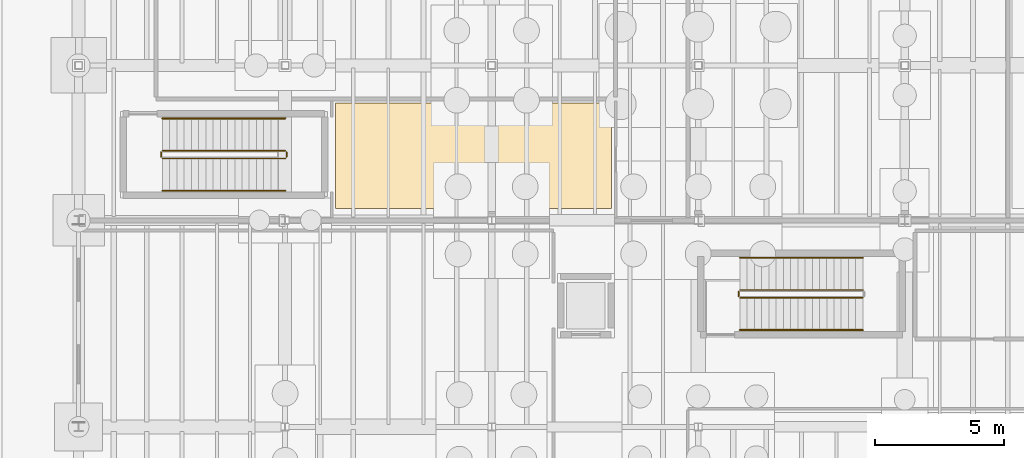
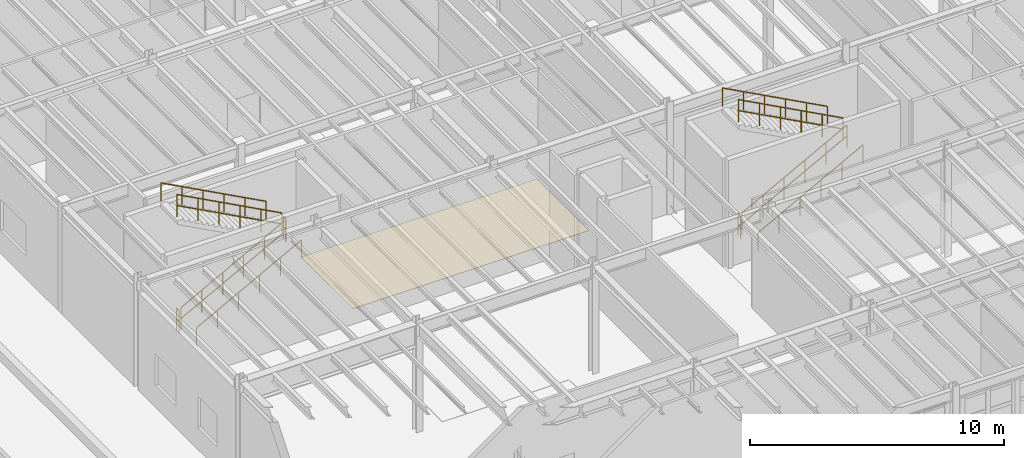
# One storey, part 76 of 86: 11 railings, 1 covering.
"""IFC4 building model written with IfcOpenShell, lengths in metres."""

import ifcopenshell
import ifcopenshell.guid

model = None  # the IFC model being written
_history = None  # IfcOwnerHistory: only IFC2X3 demands one
_inside = {}  # id of a spatial element -> (the spatial element, [elements in it])
_under = {}  # id of a project, library or spatial element -> (it, [spatial elements below it])
_declared = {}  # id of a project -> (the project, [libraries it declares])
_typed = {}  # id of a type object -> (the type object, [elements of that type])
_made_of = {}  # id of a material, layer set ... -> (it, [elements and type objects made of it])


def new_model(schema):
    """Start an empty IFC model of exactly this schema.

    Asked for "IFC4X3", IfcOpenShell would pick the latest addendum, in which some entities
    have other attributes; the version numbers below select the first issue.
    IFC2X3 requires an IfcOwnerHistory on every rooted entity: one is made here for all.
    """
    global model, _history
    if schema == "IFC4X3":
        model = ifcopenshell.file(schema_version=(4, 3, 0, 0))
    else:
        model = ifcopenshell.file(schema=schema)
    _inside.clear()
    _under.clear()
    _declared.clear()
    _typed.clear()
    _made_of.clear()
    _history = None
    if model.schema == "IFC2X3":
        org = make("IfcOrganization", Name="unknown")
        user = make(
            "IfcPersonAndOrganization",
            ThePerson=make("IfcPerson", FamilyName="unknown"),
            TheOrganization=org,
        )
        app = make(
            "IfcApplication",
            ApplicationDeveloper=org,
            Version="unknown",
            ApplicationFullName="unknown",
            ApplicationIdentifier="unknown",
        )
        _history = make(
            "IfcOwnerHistory",
            OwningUser=user,
            OwningApplication=app,
            ChangeAction="ADDED",
            CreationDate=0,
        )
    return model


def make(cls, **values):
    """One entity of the class cls with the attributes given. An attribute that is None is left unset."""
    return model.create_entity(
        cls, **{name: value for name, value in values.items() if value is not None}
    )


def rooted(cls, **values):
    """An entity with a GlobalId (a new one), such as an element, a storey or a relation."""
    return make(cls, GlobalId=ifcopenshell.guid.new(), OwnerHistory=_history, **values)


def si_unit(unit_type, name, prefix=None):
    """IfcSIUnit, for example si_unit("LENGTHUNIT", "METRE", prefix="MILLI")."""
    return make("IfcSIUnit", UnitType=unit_type, Prefix=prefix, Name=name)


def assignment(units):
    """IfcUnitAssignment: the units of a project."""
    return None if units is None else make("IfcUnitAssignment", Units=units)


def point(xyz):
    """IfcCartesianPoint."""
    return None if xyz is None else make("IfcCartesianPoint", Coordinates=xyz)


def direction(xyz):
    """IfcDirection."""
    return None if xyz is None else make("IfcDirection", DirectionRatios=xyz)


def frame(location, z_axis=None, x_axis=None):
    """IfcAxis2Placement3D, a coordinate frame: its origin and axes. An axis left out is left unset."""
    return make(
        "IfcAxis2Placement3D",
        Location=point(location),
        Axis=direction(z_axis),
        RefDirection=direction(x_axis),
    )


def frame_2d(location, x_axis=None):
    """IfcAxis2Placement2D, a coordinate frame in the plane: its origin and x axis."""
    return make(
        "IfcAxis2Placement2D", Location=point(location), RefDirection=direction(x_axis)
    )


def origin():
    """The frame at (0, 0, 0) with its axes left unset."""
    return frame((0.0, 0.0, 0.0))


def origin_2d():
    """The frame at (0, 0) in the plane with its x axis left unset."""
    return frame_2d((0.0, 0.0))


def place(relative_to, where):
    """IfcLocalPlacement: puts the frame where relative to a parent placement (None: the world)."""
    return make(
        "IfcLocalPlacement", PlacementRelTo=relative_to, RelativePlacement=where
    )


def context(
    kind, dimensions, precision=None, world=None, true_north=None, identifier=None
):
    """IfcGeometricRepresentationContext, for example the 3D "Model" context."""
    return make(
        "IfcGeometricRepresentationContext",
        ContextIdentifier=identifier,
        ContextType=kind,
        CoordinateSpaceDimension=dimensions,
        Precision=precision,
        WorldCoordinateSystem=world,
        TrueNorth=true_north,
    )


def subcontext(parent, identifier, kind, view, scale=None):
    """IfcGeometricRepresentationSubContext, for example "Body" below "Model"."""
    return make(
        "IfcGeometricRepresentationSubContext",
        ContextIdentifier=identifier,
        ContextType=kind,
        ParentContext=parent,
        TargetScale=scale,
        TargetView=view,
    )


def project(units=None, contexts=None):
    """IfcProject with its units and contexts."""
    return rooted(
        "IfcProject",
        Name="project",
        RepresentationContexts=contexts,
        UnitsInContext=assignment(units),
    )


def spatial(cls, under=None, at=None, **own):
    """A site, building, storey or space (cls), placed at a placement, below another one or the project."""
    s = rooted(cls, ObjectPlacement=at, **own)
    if under is not None:
        _under.setdefault(under.id(), (under, []))[1].append(s)
    return s


def polyline(points):
    """IfcPolyline through the points."""
    return make("IfcPolyline", Points=[point(p) for p in points])


def profile(cls, at=None, kind="AREA", **sizes):
    """A parametric profile (cls). Its sizes go by their IFC names, for example OverallWidth=200.0."""
    return make(cls, ProfileType=kind, Position=at, **sizes)


def circle(**sizes):
    """IfcCircleProfileDef."""
    return profile("IfcCircleProfileDef", **sizes)


def outline(outer, holes=None, kind="AREA"):
    """IfcArbitraryClosedProfileDef: a profile drawn as a closed curve; with holes, ...WithVoids."""
    if holes is None:
        return make("IfcArbitraryClosedProfileDef", ProfileType=kind, OuterCurve=outer)
    return make(
        "IfcArbitraryProfileDefWithVoids",
        ProfileType=kind,
        OuterCurve=outer,
        InnerCurves=holes,
    )


def extrude(swept, where, along, depth):
    """IfcExtrudedAreaSolid: the profile swept, set in the frame where, extruded along a direction by depth."""
    return make(
        "IfcExtrudedAreaSolid",
        SweptArea=swept,
        Position=where,
        ExtrudedDirection=direction(along),
        Depth=depth,
    )


def shape(context_of_items, identifier, shape_type, items):
    """IfcShapeRepresentation: the items that make up one representation, for example the "Body"."""
    return make(
        "IfcShapeRepresentation",
        ContextOfItems=context_of_items,
        RepresentationIdentifier=identifier,
        RepresentationType=shape_type,
        Items=items,
    )


def material(Name=None, Category=None):
    """IfcMaterial."""
    return make("IfcMaterial", Name=Name, Category=Category)


def layer(
    of_material, thickness, ventilated=None, Name=None, Category=None, Priority=None
):
    """IfcMaterialLayer: one layer of a wall or slab, of a material (None: an air gap)."""
    return make(
        "IfcMaterialLayer",
        Material=of_material,
        LayerThickness=thickness,
        IsVentilated=ventilated,
        Name=Name,
        Category=Category,
        Priority=Priority,
    )


def layer_set(layers, Name=None):
    """IfcMaterialLayerSet."""
    return make("IfcMaterialLayerSet", MaterialLayers=layers, LayerSetName=Name)


def made_of(thing, what):
    """Note that an element or type object is made of a material, layer set ...; save() writes the relation."""
    if what is not None:
        _made_of.setdefault(what.id(), (what, []))[1].append(thing)
    return thing


def type_object(cls, material=None, **own):
    """A type object (cls), such as IfcWallType, which elements share."""
    return made_of(rooted(cls, **own), material)


def element(
    cls,
    number,
    at=None,
    inside=None,
    cuts=None,
    type_object=None,
    material=None,
    context=None,
    identifier="Body",
    shape_type=None,
    held_by="IfcProductDefinitionShape",
    body=None,
    shapes=None,
    **own,
):
    """One element of the class cls, such as IfcWall. Its Tag is "e" and its number.

    at: its placement. inside: the storey or other place that contains it. cuts: it is an
    opening in that element (IfcRelVoidsElement). A single representation is given by context,
    identifier, shape_type and body (its items); several are given by shapes. held_by: the class
    of the entity that holds the representations. save() writes the other relations.
    """
    e = rooted(cls, Tag="e%d" % number, ObjectPlacement=at, **own)
    if body is not None:
        shapes = [shape(context, identifier, shape_type, body)]
    if shapes is not None:
        e.Representation = make(held_by, Representations=shapes)
    if inside is not None:
        _inside.setdefault(inside.id(), (inside, []))[1].append(e)
    if cuts is not None:
        rooted(
            "IfcRelVoidsElement", RelatingBuildingElement=cuts, RelatedOpeningElement=e
        )
    if type_object is not None:
        _typed.setdefault(type_object.id(), (type_object, []))[1].append(e)
    return made_of(e, material)


def aggregate(whole, parts):
    """IfcRelAggregates: a whole, such as a stair, and the parts it consists of."""
    return rooted("IfcRelAggregates", RelatingObject=whole, RelatedObjects=parts)


def save(model, path):
    """Write the relations noted so far, then the file.

    IfcRelAggregates (storeys below a building ...), IfcRelContainedInSpatialStructure (elements
    in a storey), IfcRelDefinesByType, IfcRelAssociatesMaterial and IfcRelDeclares: one each for
    every whole, place, type object, material and project.
    """
    for whole, parts in _under.values():
        aggregate(whole, parts)
    for where, things in _inside.values():
        rooted(
            "IfcRelContainedInSpatialStructure",
            RelatedElements=things,
            RelatingStructure=where,
        )
    for kind, things in _typed.values():
        rooted("IfcRelDefinesByType", RelatedObjects=things, RelatingType=kind)
    for what, things in _made_of.values():
        rooted("IfcRelAssociatesMaterial", RelatedObjects=things, RelatingMaterial=what)
    for by, libraries in _declared.values():
        rooted("IfcRelDeclares", RelatingContext=by, RelatedDefinitions=libraries)
    model.write(path)


model = new_model("IFC4")

# Units and contexts
model_context = context("Model", 3, precision=1e-05, world=origin(), true_north=direction((0.0, 1.0)))
body_context = subcontext(model_context, "Body", "Model", "MODEL_VIEW")
ifc_project = project(units=[si_unit("LENGTHUNIT", "METRE"), si_unit("AREAUNIT", "SQUARE_METRE"), si_unit("VOLUMEUNIT", "CUBIC_METRE"), si_unit("PLANEANGLEUNIT", "RADIAN"), si_unit("MASSUNIT", "GRAM", prefix="KILO"), si_unit("THERMODYNAMICTEMPERATUREUNIT", "KELVIN"), si_unit("POWERUNIT", "WATT")], contexts=[model_context])

# Site, building, storey
site_placement = place(None, origin())
site = spatial("IfcSite", under=ifc_project, at=site_placement, CompositionType="ELEMENT")
building_placement = place(site_placement, origin())
building = spatial("IfcBuilding", under=site, at=building_placement, Name="Zhenchuan Central Fire Station", CompositionType="ELEMENT")
storey_placement = place(building_placement, frame((0.0, 0.0, 0.449951171875)))
storey = spatial("IfcBuildingStorey", under=building, at=storey_placement, Name="L01", CompositionType="ELEMENT", Elevation=0.449951171875)

# Covering
ifc_material_1 = material(Name="Heavy-duty slip-resistant ceramic tile flooring")
ifc_layer = layer(ifc_material_1, 0.014892578125, Name="Heavy-duty slip-resistant ceramic tile flooring")
ifc_layer_set = layer_set([ifc_layer], Name="Heavy-duty slip-resistant ceramic tile flooring")
covering_type = type_object("IfcCoveringType", Name="COV-FLR-RES", PredefinedType="FLOORING", material=ifc_layer_set)
covering_placement = place(storey_placement, origin())
element("IfcCovering", 1, at=covering_placement, inside=storey, type_object=covering_type, Name="Fleet Tool and Lubricant Store Ceramic Tile Flooring", PredefinedType="FLOORING", context=body_context, shape_type="SweptSolid", body=[
    extrude(outline(polyline([(9.949951171875, 22.949951171875), (20.64990234375, 22.949951171875), (20.64990234375, 27.050048828125), (9.949951171875, 27.050048828125), (9.949951171875, 22.949951171875)])), origin(), (0.0, 0.0, 1.0), 0.01513671875),
])

# Railings
ifc_material_2 = material(Name="Galvanised powder-coated steel", Category="steel")
railing_type_1 = type_object("IfcRailingType", Name="RL-ST-GRD", PredefinedType="GUARDRAIL", material=ifc_material_2)
railing_1_placement = place(storey_placement, frame((25.6201171875, 19.5, 0.150146484375)))
element("IfcRailing", 2, at=railing_1_placement, inside=storey, type_object=railing_type_1, Name="L01 ST-02 stair guard 1", PredefinedType="GUARDRAIL", context=body_context, shape_type="SweptSolid", body=[
    extrude(circle(Radius=0.02392578125, at=origin_2d()), frame((0.0, 0.0, 1.076171875), z_axis=(0.881485347215, 0.0, 0.472211374965), x_axis=(0.0, 1.0, 0.0)), (0.0, 0.0, 1.0), 5.399658203125),
    extrude(circle(Radius=0.02392578125, at=origin_2d()), frame((0.0, 0.0, 0.550048828125), z_axis=(0.881485347215, 0.0, 0.472211374965), x_axis=(0.0, 1.0, 0.0)), (0.0, 0.0, 1.0), 5.399658203125),
    extrude(circle(Radius=0.02099609375, at=origin_2d()), origin(), (0.0, 0.0, 1.0), 1.052001953125),
    extrude(circle(Radius=0.02099609375, at=origin_2d()), frame((0.951904296875, 0.0, 0.510009765625)), (0.0, 0.0, 1.0), 1.052001953125),
    extrude(circle(Radius=0.02099609375, at=origin_2d()), frame((1.90380859375, 0.0, 1.02001953125)), (0.0, 0.0, 1.0), 1.052001953125),
    extrude(circle(Radius=0.02099609375, at=origin_2d()), frame((2.85595703125, 0.0, 1.52978515625)), (0.0, 0.0, 1.0), 1.052001953125),
    extrude(circle(Radius=0.02099609375, at=origin_2d()), frame((3.807861328125, 0.0, 2.039794921875)), (0.0, 0.0, 1.0), 1.052001953125),
    extrude(circle(Radius=0.02099609375, at=origin_2d()), frame((4.759765625, 0.0, 2.5498046875)), (0.0, 0.0, 1.0), 1.052001953125),
])
railing_2_placement = place(storey_placement, frame((30.3798828125, 19.800048828125, 2.85009765625)))
element("IfcRailing", 3, at=railing_2_placement, inside=storey, type_object=railing_type_1, Name="L01 ST-02 stair guard 3", PredefinedType="GUARDRAIL", context=body_context, shape_type="SweptSolid", body=[
    extrude(circle(Radius=0.02392578125, at=origin_2d()), frame((0.0, 0.0, 1.076171875), z_axis=(-0.881466526851, 0.0, 0.472246505589), x_axis=(0.0, -1.0, 0.0)), (0.0, 0.0, 1.0), 5.39990234375),
    extrude(circle(Radius=0.02392578125, at=origin_2d()), frame((0.0, 0.0, 0.550048828125), z_axis=(-0.881466526851, 0.0, 0.472246505589), x_axis=(0.0, -1.0, 0.0)), (0.0, 0.0, 1.0), 5.39990234375),
    extrude(circle(Radius=0.02099609375, at=origin_2d()), origin(), (0.0, 0.0, 1.0), 1.052001953125),
    extrude(circle(Radius=0.02099609375, at=origin_2d()), frame((-0.951904296875, 0.0, 0.510009765625)), (0.0, 0.0, 1.0), 1.052001953125),
    extrude(circle(Radius=0.02099609375, at=origin_2d()), frame((-1.90380859375, 0.0, 1.02001953125)), (0.0, 0.0, 1.0), 1.052001953125),
    extrude(circle(Radius=0.02099609375, at=origin_2d()), frame((-2.85595703125, 0.0, 1.530029296875)), (0.0, 0.0, 1.0), 1.052001953125),
    extrude(circle(Radius=0.02099609375, at=origin_2d()), frame((-3.807861328125, 0.0, 2.0400390625)), (0.0, 0.0, 1.0), 1.052001953125),
    extrude(circle(Radius=0.02099609375, at=origin_2d()), frame((-4.759765625, 0.0, 2.550048828125)), (0.0, 0.0, 1.0), 1.052001953125),
])
railing_3_placement = place(storey_placement, frame((25.570068359375, 19.550048828125, 0.0)))
element("IfcRailing", 4, at=railing_3_placement, inside=storey, type_object=railing_type_1, Name="L01 ST-02 stair guard 4", PredefinedType="GUARDRAIL", context=body_context, shape_type="SweptSolid", body=[
    extrude(circle(Radius=0.02392578125, at=origin_2d()), frame((0.0, 0.0, 1.076171875), z_axis=(0.0, 1.0, 0.0), x_axis=(-1.0, 0.0, 0.0)), (0.0, 0.0, 1.0), 0.199951171875),
    extrude(circle(Radius=0.02392578125, at=origin_2d()), frame((0.0, 0.0, 0.550048828125), z_axis=(0.0, 1.0, 0.0), x_axis=(-1.0, 0.0, 0.0)), (0.0, 0.0, 1.0), 0.199951171875),
    extrude(circle(Radius=0.02099609375, at=origin_2d()), origin(), (0.0, 0.0, 1.0), 1.052001953125),
    extrude(circle(Radius=0.02099609375, at=origin_2d()), frame((0.0, 0.199951171875, 0.0)), (0.0, 0.0, 1.0), 1.052001953125),
])
railing_4_placement = place(storey_placement, frame((3.25, 24.89990234375, 0.150146484375)))
element("IfcRailing", 5, at=railing_4_placement, inside=storey, type_object=railing_type_1, Name="L01 ST-03 stair guard 1", PredefinedType="GUARDRAIL", context=body_context, shape_type="SweptSolid", body=[
    extrude(circle(Radius=0.02392578125, at=origin_2d()), frame((0.0, 0.0, 1.076171875), z_axis=(0.881495428514, 0.0, 0.472192555542), x_axis=(0.0, 1.0, 0.0)), (0.0, 0.0, 1.0), 5.39990234375),
    extrude(circle(Radius=0.02392578125, at=origin_2d()), frame((0.0, 0.0, 0.550048828125), z_axis=(0.881495428514, 0.0, 0.472192555542), x_axis=(0.0, 1.0, 0.0)), (0.0, 0.0, 1.0), 5.39990234375),
    extrude(circle(Radius=0.02099609375, at=origin_2d()), origin(), (0.0, 0.0, 1.0), 1.052001953125),
    extrude(circle(Radius=0.02099609375, at=origin_2d()), frame((0.951904296875, 0.0, 0.510009765625)), (0.0, 0.0, 1.0), 1.052001953125),
    extrude(circle(Radius=0.02099609375, at=origin_2d()), frame((1.904052734375, 0.0, 1.02001953125)), (0.0, 0.0, 1.0), 1.052001953125),
    extrude(circle(Radius=0.02099609375, at=origin_2d()), frame((2.85595703125, 0.0, 1.52978515625)), (0.0, 0.0, 1.0), 1.052001953125),
    extrude(circle(Radius=0.02099609375, at=origin_2d()), frame((3.80810546875, 0.0, 2.039794921875)), (0.0, 0.0, 1.0), 1.052001953125),
    extrude(circle(Radius=0.02099609375, at=origin_2d()), frame((4.760009765625, 0.0, 2.5498046875)), (0.0, 0.0, 1.0), 1.052001953125),
])
railing_5_placement = place(storey_placement, frame((8.06005859375, 24.949951171875, 2.699951171875)))
element("IfcRailing", 6, at=railing_5_placement, inside=storey, type_object=railing_type_1, Name="L01 ST-03 stair guard 2", PredefinedType="GUARDRAIL", context=body_context, shape_type="SweptSolid", body=[
    extrude(circle(Radius=0.02392578125, at=origin_2d()), frame((0.0, 0.0, 1.076171875), z_axis=(0.0, 1.0, 0.0), x_axis=(-1.0, 0.0, 0.0)), (0.0, 0.0, 1.0), 0.199951171875),
    extrude(circle(Radius=0.02392578125, at=origin_2d()), frame((0.0, 0.0, 0.550048828125), z_axis=(0.0, 1.0, 0.0), x_axis=(-1.0, 0.0, 0.0)), (0.0, 0.0, 1.0), 0.199951171875),
    extrude(circle(Radius=0.02099609375, at=origin_2d()), origin(), (0.0, 0.0, 1.0), 1.052001953125),
    extrude(circle(Radius=0.02099609375, at=origin_2d()), frame((0.0, 0.199951171875, 0.0)), (0.0, 0.0, 1.0), 1.052001953125),
])
railing_6_placement = place(storey_placement, frame((8.010009765625, 25.199951171875, 2.85009765625)))
element("IfcRailing", 7, at=railing_6_placement, inside=storey, type_object=railing_type_1, Name="L01 ST-03 stair guard 3", PredefinedType="GUARDRAIL", context=body_context, shape_type="SweptSolid", body=[
    extrude(circle(Radius=0.02392578125, at=origin_2d()), frame((0.0, 0.0, 1.076171875), z_axis=(-0.881476609435, 0.0, 0.47222768557), x_axis=(0.0, -1.0, 0.0)), (0.0, 0.0, 1.0), 5.400146484375),
    extrude(circle(Radius=0.02392578125, at=origin_2d()), frame((0.0, 0.0, 0.550048828125), z_axis=(-0.881476609435, 0.0, 0.47222768557), x_axis=(0.0, -1.0, 0.0)), (0.0, 0.0, 1.0), 5.400146484375),
    extrude(circle(Radius=0.02099609375, at=origin_2d()), origin(), (0.0, 0.0, 1.0), 1.052001953125),
    extrude(circle(Radius=0.02099609375, at=origin_2d()), frame((-0.951904296875, 0.0, 0.510009765625)), (0.0, 0.0, 1.0), 1.052001953125),
    extrude(circle(Radius=0.02099609375, at=origin_2d()), frame((-1.904052734375, 0.0, 1.02001953125)), (0.0, 0.0, 1.0), 1.052001953125),
    extrude(circle(Radius=0.02099609375, at=origin_2d()), frame((-2.85595703125, 0.0, 1.530029296875)), (0.0, 0.0, 1.0), 1.052001953125),
    extrude(circle(Radius=0.02099609375, at=origin_2d()), frame((-3.80810546875, 0.0, 2.0400390625)), (0.0, 0.0, 1.0), 1.052001953125),
    extrude(circle(Radius=0.02099609375, at=origin_2d()), frame((-4.760009765625, 0.0, 2.550048828125)), (0.0, 0.0, 1.0), 1.052001953125),
])
railing_7_placement = place(storey_placement, frame((3.199951171875, 24.949951171875, 0.0)))
element("IfcRailing", 8, at=railing_7_placement, inside=storey, type_object=railing_type_1, Name="L01 ST-03 stair guard 4", PredefinedType="GUARDRAIL", context=body_context, shape_type="SweptSolid", body=[
    extrude(circle(Radius=0.02392578125, at=origin_2d()), frame((0.0, 0.0, 1.076171875), z_axis=(0.0, 1.0, 0.0), x_axis=(-1.0, 0.0, 0.0)), (0.0, 0.0, 1.0), 0.199951171875),
    extrude(circle(Radius=0.02392578125, at=origin_2d()), frame((0.0, 0.0, 0.550048828125), z_axis=(0.0, 1.0, 0.0), x_axis=(-1.0, 0.0, 0.0)), (0.0, 0.0, 1.0), 0.199951171875),
    extrude(circle(Radius=0.02099609375, at=origin_2d()), origin(), (0.0, 0.0, 1.0), 1.052001953125),
    extrude(circle(Radius=0.02099609375, at=origin_2d()), frame((0.0, 0.199951171875, 0.0)), (0.0, 0.0, 1.0), 1.052001953125),
])
ifc_material_3 = material(Name="Brushed stainless steel handrail", Category="steel")
railing_type_2 = type_object("IfcRailingType", Name="RL-ST-HND", PredefinedType="HANDRAIL", material=ifc_material_3)
railing_8_placement = place(storey_placement, frame((25.6201171875, 18.25, 0.150146484375)))
element("IfcRailing", 9, at=railing_8_placement, inside=storey, type_object=railing_type_2, Name="L01 ST-02 stair handrail 1", PredefinedType="HANDRAIL", context=body_context, shape_type="SweptSolid", body=[
    extrude(circle(Radius=0.02392578125, at=origin_2d()), frame((0.0, 0.0, 0.8759765625), z_axis=(0.881485347215, 0.0, 0.472211374965), x_axis=(0.0, 1.0, 0.0)), (0.0, 0.0, 1.0), 5.399658203125),
    extrude(circle(Radius=0.02099609375, at=origin_2d()), origin(), (0.0, 0.0, 1.0), 0.851806640625),
    extrude(circle(Radius=0.02099609375, at=origin_2d()), frame((0.951904296875, 0.0, 0.510009765625)), (0.0, 0.0, 1.0), 0.851806640625),
    extrude(circle(Radius=0.02099609375, at=origin_2d()), frame((1.90380859375, 0.0, 1.02001953125)), (0.0, 0.0, 1.0), 0.851806640625),
    extrude(circle(Radius=0.02099609375, at=origin_2d()), frame((2.85595703125, 0.0, 1.52978515625)), (0.0, 0.0, 1.0), 0.851806640625),
    extrude(circle(Radius=0.02099609375, at=origin_2d()), frame((3.807861328125, 0.0, 2.039794921875)), (0.0, 0.0, 1.0), 0.851806640625),
    extrude(circle(Radius=0.02099609375, at=origin_2d()), frame((4.759765625, 0.0, 2.5498046875)), (0.0, 0.0, 1.0), 0.851806640625),
])
railing_9_placement = place(storey_placement, frame((30.3798828125, 21.050048828125, 2.85009765625)))
element("IfcRailing", 10, at=railing_9_placement, inside=storey, type_object=railing_type_2, Name="L01 ST-02 stair handrail 2", PredefinedType="HANDRAIL", context=body_context, shape_type="SweptSolid", body=[
    extrude(circle(Radius=0.02392578125, at=origin_2d()), frame((0.0, 0.0, 0.8759765625), z_axis=(-0.881466526851, 0.0, 0.472246505589), x_axis=(0.0, -1.0, 0.0)), (0.0, 0.0, 1.0), 5.39990234375),
    extrude(circle(Radius=0.02099609375, at=origin_2d()), origin(), (0.0, 0.0, 1.0), 0.851806640625),
    extrude(circle(Radius=0.02099609375, at=origin_2d()), frame((-0.951904296875, 0.0, 0.510009765625)), (0.0, 0.0, 1.0), 0.851806640625),
    extrude(circle(Radius=0.02099609375, at=origin_2d()), frame((-1.90380859375, 0.0, 1.02001953125)), (0.0, 0.0, 1.0), 0.851806640625),
    extrude(circle(Radius=0.02099609375, at=origin_2d()), frame((-2.85595703125, 0.0, 1.530029296875)), (0.0, 0.0, 1.0), 0.851806640625),
    extrude(circle(Radius=0.02099609375, at=origin_2d()), frame((-3.807861328125, 0.0, 2.0400390625)), (0.0, 0.0, 1.0), 0.851806640625),
    extrude(circle(Radius=0.02099609375, at=origin_2d()), frame((-4.759765625, 0.0, 2.550048828125)), (0.0, 0.0, 1.0), 0.851806640625),
])
railing_10_placement = place(storey_placement, frame((3.25, 23.64990234375, 0.150146484375)))
element("IfcRailing", 11, at=railing_10_placement, inside=storey, type_object=railing_type_2, Name="L01 ST-03 stair handrail 1", PredefinedType="HANDRAIL", context=body_context, shape_type="SweptSolid", body=[
    extrude(circle(Radius=0.02392578125, at=origin_2d()), frame((0.0, 0.0, 0.8759765625), z_axis=(0.881495428514, 0.0, 0.472192555542), x_axis=(0.0, 1.0, 0.0)), (0.0, 0.0, 1.0), 5.39990234375),
    extrude(circle(Radius=0.02099609375, at=origin_2d()), origin(), (0.0, 0.0, 1.0), 0.851806640625),
    extrude(circle(Radius=0.02099609375, at=origin_2d()), frame((0.951904296875, 0.0, 0.510009765625)), (0.0, 0.0, 1.0), 0.851806640625),
    extrude(circle(Radius=0.02099609375, at=origin_2d()), frame((1.904052734375, 0.0, 1.02001953125)), (0.0, 0.0, 1.0), 0.851806640625),
    extrude(circle(Radius=0.02099609375, at=origin_2d()), frame((2.85595703125, 0.0, 1.52978515625)), (0.0, 0.0, 1.0), 0.851806640625),
    extrude(circle(Radius=0.02099609375, at=origin_2d()), frame((3.80810546875, 0.0, 2.039794921875)), (0.0, 0.0, 1.0), 0.851806640625),
    extrude(circle(Radius=0.02099609375, at=origin_2d()), frame((4.760009765625, 0.0, 2.5498046875)), (0.0, 0.0, 1.0), 0.851806640625),
])
railing_11_placement = place(storey_placement, frame((8.010009765625, 26.449951171875, 2.85009765625)))
element("IfcRailing", 12, at=railing_11_placement, inside=storey, type_object=railing_type_2, Name="L01 ST-03 stair handrail 2", PredefinedType="HANDRAIL", context=body_context, shape_type="SweptSolid", body=[
    extrude(circle(Radius=0.02392578125, at=origin_2d()), frame((0.0, 0.0, 0.8759765625), z_axis=(-0.881476609435, 0.0, 0.47222768557), x_axis=(0.0, -1.0, 0.0)), (0.0, 0.0, 1.0), 5.400146484375),
    extrude(circle(Radius=0.02099609375, at=origin_2d()), origin(), (0.0, 0.0, 1.0), 0.851806640625),
    extrude(circle(Radius=0.02099609375, at=origin_2d()), frame((-0.951904296875, 0.0, 0.510009765625)), (0.0, 0.0, 1.0), 0.851806640625),
    extrude(circle(Radius=0.02099609375, at=origin_2d()), frame((-1.904052734375, 0.0, 1.02001953125)), (0.0, 0.0, 1.0), 0.851806640625),
    extrude(circle(Radius=0.02099609375, at=origin_2d()), frame((-2.85595703125, 0.0, 1.530029296875)), (0.0, 0.0, 1.0), 0.851806640625),
    extrude(circle(Radius=0.02099609375, at=origin_2d()), frame((-3.80810546875, 0.0, 2.0400390625)), (0.0, 0.0, 1.0), 0.851806640625),
    extrude(circle(Radius=0.02099609375, at=origin_2d()), frame((-4.760009765625, 0.0, 2.550048828125)), (0.0, 0.0, 1.0), 0.851806640625),
])

save(model, "model.ifc")
